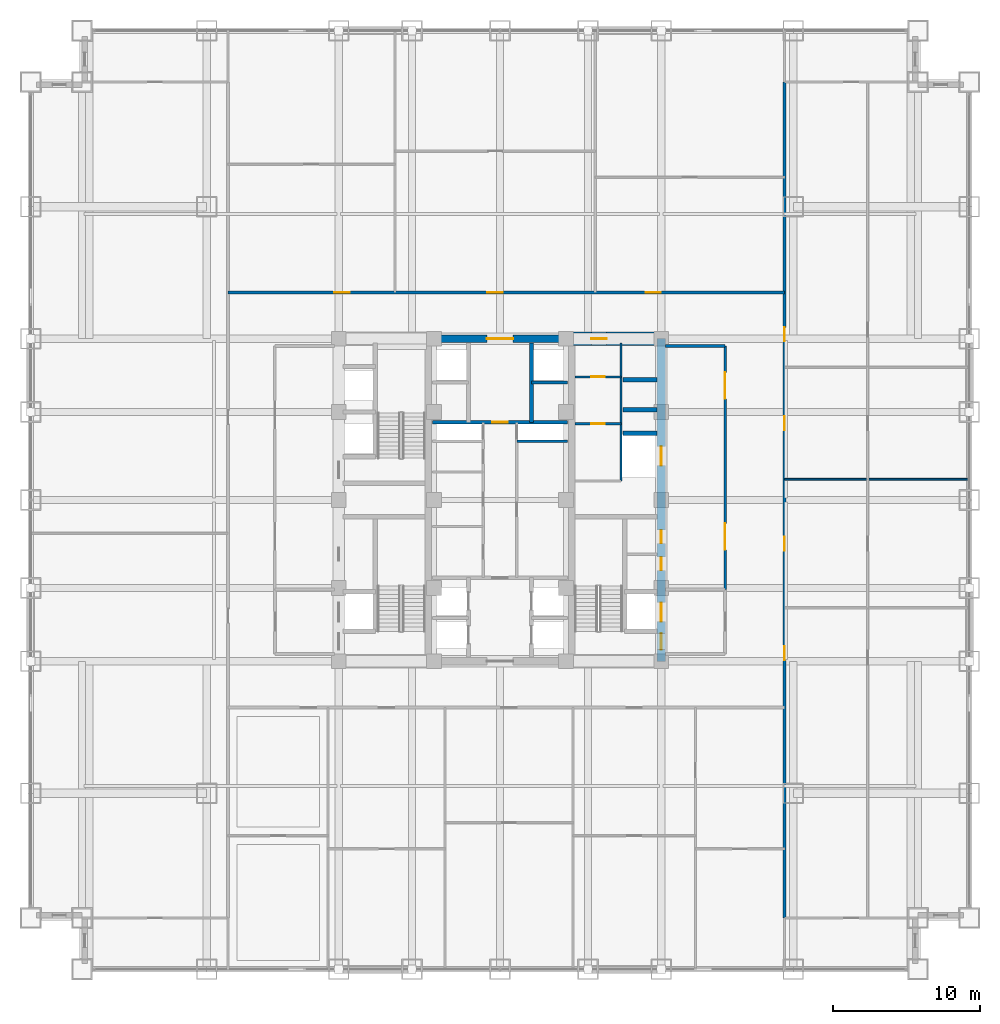
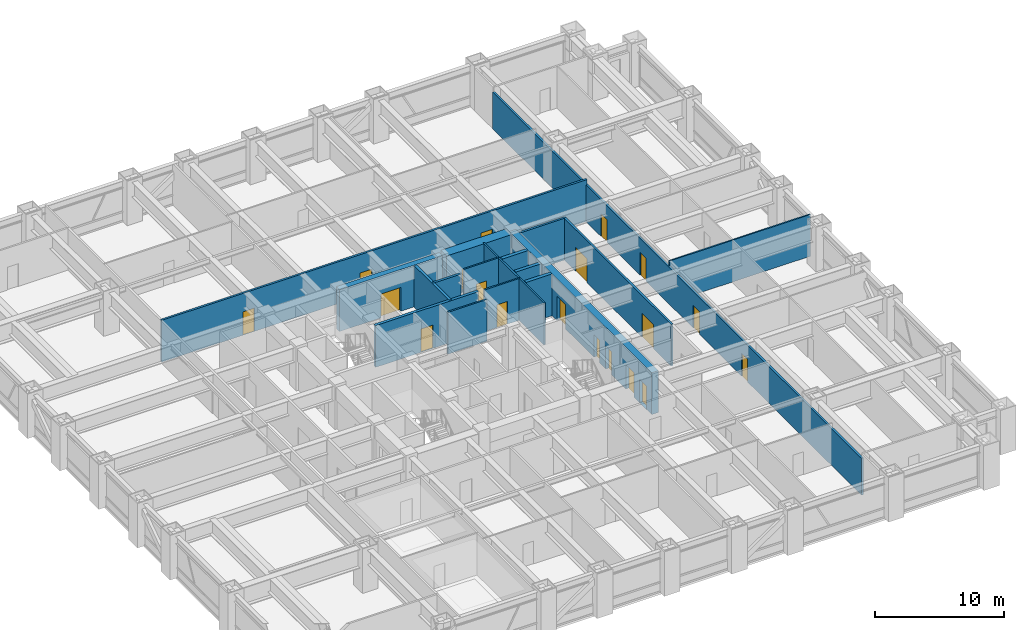
# One storey, part 26 of 29: 19 doors, 18 walls, 19 openings.
"""IFC4 building model written with IfcOpenShell, lengths in metres."""

from ifc_helpers import new_model, si_unit, direction, frame, frame_2d, origin, place, context, subcontext, project, spatial, rectangle, extrude, source, transform, mapped, material, layer, layer_set, type_object, element, fill, save


model = new_model("IFC4")

# Units and contexts
model_context = context("Model", 3, precision=1e-05, world=origin(), true_north=direction((0.0, 1.0)))
body_context = subcontext(model_context, "Body", "Model", "MODEL_VIEW")
ifc_project = project(units=[si_unit("LENGTHUNIT", "METRE"), si_unit("AREAUNIT", "SQUARE_METRE"), si_unit("VOLUMEUNIT", "CUBIC_METRE"), si_unit("PLANEANGLEUNIT", "RADIAN"), si_unit("MASSUNIT", "GRAM", prefix="KILO")], contexts=[model_context])

# Site, building, storey
site_placement = place(None, origin())
site = spatial("IfcSite", under=ifc_project, at=site_placement, CompositionType="ELEMENT")
building_placement = place(site_placement, origin())
building = spatial("IfcBuilding", under=site, at=building_placement, Name="Khorayat Bourse Tower", CompositionType="ELEMENT")
storey_placement = place(building_placement, frame((0.0, 0.0, 87.199951171875)))
storey = spatial("IfcBuildingStorey", under=building, at=storey_placement, Name="L19", CompositionType="ELEMENT", Elevation=87.199951171875)

# Wall, openings, doors
ifc_material_1 = material(Name="Concrete C60/75", Category="concrete")
ifc_layer_1 = layer(ifc_material_1, 0.60009765625)
ifc_layer_set_1 = layer_set([ifc_layer_1], Name="Concrete C60/75")
wall_type_1 = type_object("IfcWallType", Name="WAL-CORE-600", PredefinedType="SHEAR", material=ifc_layer_set_1)
shared_shape_1 = source(origin(), body_context, "Body", "SweptSolid", [
    extrude(rectangle(XDim=22.0, YDim=0.60009765625, at=frame_2d((11.0, 0.0))), origin(), (0.0, 0.0, 1.0), 3.93994140625),
])
wall_1_placement = place(storey_placement, frame((11.0, -11.0, 0.0), z_axis=(0.0, 0.0, 1.0), x_axis=(0.0, 1.0, 0.0)))
wall_1 = element("IfcWall", 1, at=wall_1_placement, inside=storey, type_object=wall_type_1, Name="L19 Core Shear Wall CORE-E", PredefinedType="SHEAR", context=body_context, shape_type="MappedRepresentation", body=[
    mapped(shared_shape_1, transform((0.0, 0.0, 0.0), scale=1.0)),
])
shared_shape_2 = source(origin(), body_context, "Body", "SweptSolid", [
    extrude(rectangle(XDim=1.10009765625, YDim=2.199951171875, at=frame_2d((0.550048828125, 1.10009765625))), frame((0.0, 0.31005859375, 0.0), z_axis=(0.0, -1.0, 0.0), x_axis=(1.0, 0.0, 0.0)), (0.0, 0.0, 1.0), 0.6201171875),
])
opening_1_placement = place(wall_1_placement, frame((0.800048828125, 0.0, 0.0)))
opening_1 = element("IfcOpeningElement", 2, at=opening_1_placement, cuts=wall_1, Name="Opening DI-01", PredefinedType="OPENING", context=body_context, shape_type="MappedRepresentation", body=[
    mapped(shared_shape_2, transform((0.0, 0.0, 0.0), scale=1.0)),
])
shared_shape_3 = source(origin(), body_context, "Body", "SweptSolid", [
    extrude(rectangle(XDim=0.89990234375, YDim=2.14990234375, at=frame_2d((0.449951171875, 1.074951171875))), frame((0.0, 0.31005859375, 0.0), z_axis=(0.0, -1.0, 0.0), x_axis=(1.0, 0.0, 0.0)), (0.0, 0.0, 1.0), 0.6201171875),
])
opening_2_placement = place(wall_1_placement, frame((6.199951171875, 0.0, 0.0)))
opening_2 = element("IfcOpeningElement", 3, at=opening_2_placement, cuts=wall_1, Name="Opening DI-06", PredefinedType="OPENING", context=body_context, shape_type="MappedRepresentation", body=[
    mapped(shared_shape_3, transform((0.0, 0.0, 0.0), scale=1.0)),
])
opening_3_placement = place(wall_1_placement, frame((8.050048828125, 0.0, 0.0)))
opening_3 = element("IfcOpeningElement", 4, at=opening_3_placement, cuts=wall_1, Name="Opening DI-06", PredefinedType="OPENING", context=body_context, shape_type="MappedRepresentation", body=[
    mapped(shared_shape_3, transform((0.0, 0.0, 0.0), scale=1.0)),
])
shared_shape_4 = source(origin(), body_context, "Body", "SweptSolid", [
    extrude(rectangle(XDim=1.300048828125, YDim=2.300048828125, at=frame_2d((0.64990234375, 1.14990234375))), frame((0.0, 0.31005859375, 0.0), z_axis=(0.0, -1.0, 0.0), x_axis=(1.0, 0.0, 0.0)), (0.0, 0.0, 1.0), 0.6201171875),
])
opening_4_placement = place(wall_1_placement, frame((2.699951171875, 0.0, 0.0)))
opening_4 = element("IfcOpeningElement", 5, at=opening_4_placement, cuts=wall_1, Name="Opening LD-02", PredefinedType="OPENING", context=body_context, shape_type="MappedRepresentation", body=[
    mapped(shared_shape_4, transform((0.0, 0.0, 0.0), scale=1.0)),
])
opening_5_placement = place(wall_1_placement, frame((13.35009765625, 0.0, 0.0)))
opening_5 = element("IfcOpeningElement", 6, at=opening_5_placement, cuts=wall_1, Name="Opening LD-02", PredefinedType="OPENING", context=body_context, shape_type="MappedRepresentation", body=[
    mapped(shared_shape_4, transform((0.0, 0.0, 0.0), scale=1.0)),
])
ifc_material_2 = material(Name="Fire-rated steel acoustic leaf", Category="steel")
door_type_1 = type_object("IfcDoorType", Name="DR-INT-STAIR-1100", OperationType="NOTDEFINED", PredefinedType="DOOR", material=ifc_material_2)
shared_shape_5 = source(origin(), body_context, "Body", "SweptSolid", [
    extrude(rectangle(XDim=1.10009765625, YDim=2.199951171875, at=frame_2d((0.550048828125, 1.10009765625))), frame((0.0, 0.02490234375, 0.0), z_axis=(0.0, -1.0, 0.0), x_axis=(1.0, 0.0, 0.0)), (0.0, 0.0, 1.0), 0.050048828125),
])
door_1_placement = place(opening_1_placement, origin())
door_1 = element("IfcDoor", 7, at=door_1_placement, inside=storey, type_object=door_type_1, Name="L19 Exit Stair 3 Door", OperationType="SINGLE_SWING_LEFT", OverallHeight=2.199951171875, OverallWidth=1.10009765625, PredefinedType="DOOR", context=body_context, shape_type="MappedRepresentation", body=[
    mapped(shared_shape_5, transform((0.0, 0.0, 0.0), scale=1.0)),
])
fill(opening_1, door_1)
ifc_material_3 = material(Name="Moisture-resistant laminate washroom door")
door_type_2 = type_object("IfcDoorType", Name="DR-INT-WC-900", OperationType="NOTDEFINED", PredefinedType="DOOR", material=ifc_material_3)
shared_shape_6 = source(origin(), body_context, "Body", "SweptSolid", [
    extrude(rectangle(XDim=0.89990234375, YDim=2.14990234375, at=frame_2d((0.449951171875, 1.074951171875))), frame((0.0, 0.02490234375, 0.0), z_axis=(0.0, -1.0, 0.0), x_axis=(1.0, 0.0, 0.0)), (0.0, 0.0, 1.0), 0.050048828125),
])
door_2_placement = place(opening_2_placement, origin())
door_2 = element("IfcDoor", 8, at=door_2_placement, inside=storey, type_object=door_type_2, Name="L19 Comms Closet Door", OperationType="SINGLE_SWING_LEFT", OverallHeight=2.14990234375, OverallWidth=0.89990234375, PredefinedType="DOOR", context=body_context, shape_type="MappedRepresentation", body=[
    mapped(shared_shape_6, transform((0.0, 0.0, 0.0), scale=1.0)),
])
fill(opening_2, door_2)
door_3_placement = place(opening_3_placement, origin())
door_3 = element("IfcDoor", 9, at=door_3_placement, inside=storey, type_object=door_type_2, Name="L19 Cleaner Store Door", OperationType="SINGLE_SWING_RIGHT", OverallHeight=2.14990234375, OverallWidth=0.89990234375, PredefinedType="DOOR", context=body_context, shape_type="MappedRepresentation", body=[
    mapped(shared_shape_6, transform((0.0, 0.0, 0.0), scale=1.0)),
])
fill(opening_3, door_3)
ifc_material_4 = material(Name="Fire-rated stainless-steel sliding landing door", Category="steel")
door_type_3 = type_object("IfcDoorType", Name="DR-LIFT-FF-1300", OperationType="NOTDEFINED", PredefinedType="DOOR", material=ifc_material_4)
shared_shape_7 = source(origin(), body_context, "Body", "SweptSolid", [
    extrude(rectangle(XDim=1.300048828125, YDim=2.300048828125, at=frame_2d((0.64990234375, 1.14990234375))), frame((0.0, 0.02490234375, 0.0), z_axis=(0.0, -1.0, 0.0), x_axis=(1.0, 0.0, 0.0)), (0.0, 0.0, 1.0), 0.050048828125),
])
door_4_placement = place(opening_4_placement, origin())
door_4 = element("IfcDoor", 10, at=door_4_placement, inside=storey, type_object=door_type_3, Name="L19 Lift FFL-02 Sliding Landing Door", OperationType="SLIDING_TO_LEFT", OverallHeight=2.300048828125, OverallWidth=1.300048828125, PredefinedType="DOOR", context=body_context, shape_type="MappedRepresentation", body=[
    mapped(shared_shape_7, transform((0.0, 0.0, 0.0), scale=1.0)),
])
fill(opening_4, door_4)
door_5_placement = place(opening_5_placement, origin())
door_5 = element("IfcDoor", 11, at=door_5_placement, inside=storey, type_object=door_type_3, Name="L19 Lift SVL-01 Sliding Landing Door", OperationType="SLIDING_TO_LEFT", OverallHeight=2.300048828125, OverallWidth=1.300048828125, PredefinedType="DOOR", context=body_context, shape_type="MappedRepresentation", body=[
    mapped(shared_shape_7, transform((0.0, 0.0, 0.0), scale=1.0)),
])
fill(opening_5, door_5)

# Wall, opening, door
ifc_material_5 = material(Name="Concrete C72/90", Category="concrete")
ifc_layer_2 = layer(ifc_material_5, 0.89990234375)
ifc_layer_set_2 = layer_set([ifc_layer_2], Name="Concrete C72/90")
wall_type_2 = type_object("IfcWallType", Name="WAL-CORE-900", PredefinedType="SHEAR", material=ifc_layer_set_2)
shared_shape_8 = source(origin(), body_context, "Body", "SweptSolid", [
    extrude(rectangle(XDim=5.849853515625, YDim=0.89990234375, at=frame_2d((2.9248046875, 0.0))), origin(), (0.0, 0.0, 1.0), 3.93994140625),
])
wall_2_placement = place(storey_placement, frame((4.85009765625, 11.0, 0.0), z_axis=(0.0, 0.0, 1.0), x_axis=(1.0, 0.0, 0.0)))
wall_2 = element("IfcWall", 12, at=wall_2_placement, inside=storey, type_object=wall_type_2, Name="L19 Core Shear Wall PIER-EN", PredefinedType="SHEAR", context=body_context, shape_type="MappedRepresentation", body=[
    mapped(shared_shape_8, transform((0.0, 0.0, 0.0), scale=1.0)),
])
shared_shape_9 = source(origin(), body_context, "Body", "SweptSolid", [
    extrude(rectangle(XDim=1.050048828125, YDim=2.199951171875, at=frame_2d((0.52490234375, 1.10009765625))), frame((0.0, 0.4599609375, 0.0), z_axis=(0.0, -1.0, 0.0), x_axis=(1.0, 0.0, 0.0)), (0.0, 0.0, 1.0), 0.919921875),
])
opening_6_placement = place(wall_2_placement, frame((1.375, 0.0, 0.0)))
opening_6 = element("IfcOpeningElement", 13, at=opening_6_placement, cuts=wall_2, Name="Opening DI-04", PredefinedType="OPENING", context=body_context, shape_type="MappedRepresentation", body=[
    mapped(shared_shape_9, transform((0.0, 0.0, 0.0), scale=1.0)),
])
ifc_material_6 = material(Name="Fire-rated oak veneer suite entrance door")
door_type_4 = type_object("IfcDoorType", Name="DR-INT-SUITE-1050", OperationType="NOTDEFINED", PredefinedType="DOOR", material=ifc_material_6)
shared_shape_10 = source(origin(), body_context, "Body", "SweptSolid", [
    extrude(rectangle(XDim=1.050048828125, YDim=2.199951171875, at=frame_2d((0.52490234375, 1.10009765625))), frame((0.0, 0.02490234375, 0.0), z_axis=(0.0, -1.0, 0.0), x_axis=(1.0, 0.0, 0.0)), (0.0, 0.0, 1.0), 0.050048828125),
])
door_6_placement = place(opening_6_placement, origin())
door_6 = element("IfcDoor", 14, at=door_6_placement, inside=storey, type_object=door_type_4, Name="L19 Core Washroom Lobby Door", OperationType="SINGLE_SWING_LEFT", OverallHeight=2.199951171875, OverallWidth=1.050048828125, PredefinedType="DOOR", context=body_context, shape_type="MappedRepresentation", body=[
    mapped(shared_shape_10, transform((0.0, 0.0, 0.0), scale=1.0)),
])
fill(opening_6, door_6)

ifc_material_7 = material(Name="Concrete C52/65", Category="concrete")
ifc_layer_3 = layer(ifc_material_7, 0.5)
ifc_layer_set_3 = layer_set([ifc_layer_3], Name="Concrete C52/65")
wall_type_3 = type_object("IfcWallType", Name="WAL-CORE-500", PredefinedType="SHEAR", material=ifc_layer_set_3)
shared_shape_11 = source(origin(), body_context, "Body", "SweptSolid", [
    extrude(rectangle(XDim=9.2001953125, YDim=0.5, at=frame_2d((4.60009765625, 0.0))), origin(), (0.0, 0.0, 1.0), 3.93994140625),
])
wall_3_placement = place(storey_placement, frame((-4.60009765625, 11.0, 0.0), z_axis=(0.0, 0.0, 1.0), x_axis=(1.0, 0.0, 0.0)))
wall_3 = element("IfcWall", 15, at=wall_3_placement, inside=storey, type_object=wall_type_3, Name="L19 Core Shear Wall CORE-N", PredefinedType="SHEAR", context=body_context, shape_type="MappedRepresentation", body=[
    mapped(shared_shape_11, transform((0.0, 0.0, 0.0), scale=1.0)),
])
shared_shape_12 = source(origin(), body_context, "Body", "SweptSolid", [
    extrude(rectangle(XDim=1.800048828125, YDim=2.25, at=frame_2d((0.89990234375, 1.125))), frame((0.0, 0.260009765625, 0.0), z_axis=(0.0, -1.0, 0.0), x_axis=(1.0, 0.0, 0.0)), (0.0, 0.0, 1.0), 0.52001953125),
])
opening_7_placement = place(wall_3_placement, frame((3.699951171875, 0.0, 0.0)))
opening_7 = element("IfcOpeningElement", 16, at=opening_7_placement, cuts=wall_3, Name="Opening DI-03", PredefinedType="OPENING", context=body_context, shape_type="MappedRepresentation", body=[
    mapped(shared_shape_12, transform((0.0, 0.0, 0.0), scale=1.0)),
])
ifc_material_8 = material(Name="Fire-rated hardwood vision-panel double leaf", Category="wood")
door_type_5 = type_object("IfcDoorType", Name="DR-INT-CORR-1800", OperationType="NOTDEFINED", PredefinedType="DOOR", material=ifc_material_8)
shared_shape_13 = source(origin(), body_context, "Body", "SweptSolid", [
    extrude(rectangle(XDim=1.800048828125, YDim=2.25, at=frame_2d((0.89990234375, 1.125))), frame((0.0, 0.02490234375, 0.0), z_axis=(0.0, -1.0, 0.0), x_axis=(1.0, 0.0, 0.0)), (0.0, 0.0, 1.0), 0.050048828125),
])
door_7_placement = place(opening_7_placement, origin())
door_7 = element("IfcDoor", 17, at=door_7_placement, inside=storey, type_object=door_type_5, Name="L19 Mid-Rise Lift Lobby Door", OperationType="SINGLE_SWING_RIGHT", OverallHeight=2.25, OverallWidth=1.800048828125, PredefinedType="DOOR", context=body_context, shape_type="MappedRepresentation", body=[
    mapped(shared_shape_13, transform((0.0, 0.0, 0.0), scale=1.0)),
])
fill(opening_7, door_7)

# Walls
ifc_material_9 = material(Name="Concrete C50/60", Category="concrete")
ifc_layer_4 = layer(ifc_material_9, 0.300048828125)
ifc_layer_set_4 = layer_set([ifc_layer_4], Name="Concrete C50/60")
wall_type_4 = type_object("IfcWallType", Name="WAL-SHAFT-300", PredefinedType="SHEAR", material=ifc_layer_set_4)
shared_shape_14 = source(origin(), body_context, "Body", "SweptSolid", [
    extrude(rectangle(XDim=2.300048828125, YDim=0.300048828125, at=frame_2d((1.14990234375, 0.0))), origin(), (0.0, 0.0, 1.0), 3.93994140625),
])
for number, where, z_axis, x_axis, name in (
    (18, (8.39990234375, 4.550048828125, 0.0), (0.0, 0.0, 1.0), (1.0, 0.0, 0.0), "L19 Partition WAL-L19-EPIER-SVLN"),
    (19, (8.39990234375, 6.14990234375, 0.0), (0.0, 0.0, 1.0), (1.0, 0.0, 0.0), "L19 Partition WAL-L19-EPIER-H3S"),
    (20, (8.39990234375, 8.199951171875, 0.0), (0.0, 0.0, 1.0), (1.0, 0.0, 0.0), "L19 Partition WAL-L19-EPIER-H34"),
):
    element("IfcWall", number, at=place(storey_placement, frame(where, z_axis=z_axis, x_axis=x_axis)), inside=storey, type_object=wall_type_4, Name=name, PredefinedType="SHEAR", context=body_context, shape_type="MappedRepresentation", body=[
        mapped(shared_shape_14, transform((0.0, 0.0, 0.0), scale=1.0)),
    ])
ifc_material_10 = material(Name="Moisture-resistant masonry partition", Category="masonry")
ifc_layer_5 = layer(ifc_material_10, 0.139892578125)
ifc_layer_set_5 = layer_set([ifc_layer_5], Name="Moisture-resistant masonry partition")
wall_type_5 = type_object("IfcWallType", Name="WAL-PART-WET-140", PredefinedType="PARTITIONING", material=ifc_layer_set_5)
shared_shape_15 = source(origin(), body_context, "Body", "SweptSolid", [
    extrude(rectangle(XDim=9.39990234375, YDim=0.139892578125, at=frame_2d((4.699951171875, 0.0))), origin(), (0.0, 0.0, 1.0), 3.93994140625),
])
wall_4_placement = place(storey_placement, frame((8.25, 1.300048828125, 0.0), z_axis=(0.0, 0.0, 1.0), x_axis=(0.0, 1.0, 0.0)))
element("IfcWall", 21, at=wall_4_placement, inside=storey, type_object=wall_type_5, Name="L19 Partition WAL-L19-ECORE-E", PredefinedType="PARTITIONING", context=body_context, shape_type="MappedRepresentation", body=[
    mapped(shared_shape_15, transform((0.0, 0.0, 0.0), scale=1.0)),
])

# Wall, opening, door
shared_shape_16 = source(origin(), body_context, "Body", "SweptSolid", [
    extrude(rectangle(XDim=3.14990234375, YDim=0.139892578125, at=frame_2d((1.574951171875, 0.0))), origin(), (0.0, 0.0, 1.0), 3.93994140625),
])
wall_5_placement = place(storey_placement, frame((5.10009765625, 8.39990234375, 0.0), z_axis=(0.0, 0.0, 1.0), x_axis=(1.0, 0.0, 0.0)))
wall_5 = element("IfcWall", 22, at=wall_5_placement, inside=storey, type_object=wall_type_5, Name="L19 Partition WAL-L19-ECW-TOP", PredefinedType="PARTITIONING", context=body_context, shape_type="MappedRepresentation", body=[
    mapped(shared_shape_16, transform((0.0, 0.0, 0.0), scale=1.0)),
])
shared_shape_17 = source(origin(), body_context, "Body", "SweptSolid", [
    extrude(rectangle(XDim=0.89990234375, YDim=2.14990234375, at=frame_2d((0.449951171875, 1.074951171875))), frame((0.0, 0.079833984375, 0.0), z_axis=(0.0, -1.0, 0.0), x_axis=(1.0, 0.0, 0.0)), (0.0, 0.0, 1.0), 0.159912109375),
])
opening_8_placement = place(wall_5_placement, frame((1.1298828125, 0.0, 0.0)))
opening_8 = element("IfcOpeningElement", 23, at=opening_8_placement, cuts=wall_5, Name="Opening DI-06", PredefinedType="OPENING", context=body_context, shape_type="MappedRepresentation", body=[
    mapped(shared_shape_17, transform((0.0, 0.0, 0.0), scale=1.0)),
])
door_8_placement = place(opening_8_placement, origin())
door_8 = element("IfcDoor", 24, at=door_8_placement, inside=storey, type_object=door_type_2, Name="L19 Accessible WC Door", OperationType="SINGLE_SWING_LEFT", OverallHeight=2.14990234375, OverallWidth=0.89990234375, PredefinedType="DOOR", context=body_context, shape_type="MappedRepresentation", body=[
    mapped(shared_shape_6, transform((0.0, 0.0, 0.0), scale=1.0)),
])
fill(opening_8, door_8)

wall_6_placement = place(storey_placement, frame((5.10009765625, 5.199951171875, 0.0), z_axis=(0.0, 0.0, 1.0), x_axis=(1.0, 0.0, 0.0)))
wall_6 = element("IfcWall", 25, at=wall_6_placement, inside=storey, type_object=wall_type_5, Name="L19 Partition WAL-L19-ECW-HZ", PredefinedType="PARTITIONING", context=body_context, shape_type="MappedRepresentation", body=[
    mapped(shared_shape_16, transform((0.0, 0.0, 0.0), scale=1.0)),
])
opening_9_placement = place(wall_6_placement, frame((1.1298828125, 0.0, 0.0)))
opening_9 = element("IfcOpeningElement", 26, at=opening_9_placement, cuts=wall_6, Name="Opening DI-06", PredefinedType="OPENING", context=body_context, shape_type="MappedRepresentation", body=[
    mapped(shared_shape_17, transform((0.0, 0.0, 0.0), scale=1.0)),
])
door_9_placement = place(opening_9_placement, origin())
door_9 = element("IfcDoor", 27, at=door_9_placement, inside=storey, type_object=door_type_2, Name="L19 Shared Washroom Door", OperationType="SINGLE_SWING_RIGHT", OverallHeight=2.14990234375, OverallWidth=0.89990234375, PredefinedType="DOOR", context=body_context, shape_type="MappedRepresentation", body=[
    mapped(shared_shape_6, transform((0.0, 0.0, 0.0), scale=1.0)),
])
fill(opening_9, door_9)

# Wall
ifc_material_11 = material(Name="Gypsum plasterboard acoustic stud wall")
ifc_layer_6 = layer(ifc_material_11, 0.179931640625)
ifc_layer_set_6 = layer_set([ifc_layer_6], Name="Gypsum plasterboard acoustic stud wall")
wall_type_6 = type_object("IfcWallType", Name="WAL-PART-CORR-180", PredefinedType="PARTITIONING", material=ifc_layer_set_6)
shared_shape_18 = source(origin(), body_context, "Body", "SweptSolid", [
    extrude(rectangle(XDim=4.050048828125, YDim=0.179931640625, at=frame_2d((2.02490234375, 0.0))), origin(), (0.0, 0.0, 1.0), 3.93994140625),
])
wall_7_placement = place(storey_placement, frame((11.300048828125, 10.5, 0.0), z_axis=(0.0, 0.0, 1.0), x_axis=(1.0, 0.0, 0.0)))
element("IfcWall", 28, at=wall_7_placement, inside=storey, type_object=wall_type_6, Name="L19 Partition WAL-L19-ELOB-N", PredefinedType="PARTITIONING", context=body_context, shape_type="MappedRepresentation", body=[
    mapped(shared_shape_18, transform((0.0, 0.0, 0.0), scale=1.0)),
])

# Wall, openings, doors
shared_shape_19 = source(origin(), body_context, "Body", "SweptSolid", [
    extrude(rectangle(XDim=16.60009765625, YDim=0.179931640625, at=frame_2d((8.300048828125, 0.0))), origin(), (0.0, 0.0, 1.0), 3.93994140625),
])
wall_8_placement = place(storey_placement, frame((15.35009765625, -6.10009765625, 0.0), z_axis=(0.0, 0.0, 1.0), x_axis=(0.0, 1.0, 0.0)))
wall_8 = element("IfcWall", 29, at=wall_8_placement, inside=storey, type_object=wall_type_6, Name="L19 Partition WAL-L19-ELOB-E", PredefinedType="PARTITIONING", context=body_context, shape_type="MappedRepresentation", body=[
    mapped(shared_shape_19, transform((0.0, 0.0, 0.0), scale=1.0)),
])
shared_shape_20 = source(origin(), body_context, "Body", "SweptSolid", [
    extrude(rectangle(XDim=1.800048828125, YDim=2.25, at=frame_2d((0.89990234375, 1.125))), frame((0.0, 0.099853515625, 0.0), z_axis=(0.0, -1.0, 0.0), x_axis=(1.0, 0.0, 0.0)), (0.0, 0.0, 1.0), 0.199951171875),
])
opening_10_placement = place(wall_8_placement, frame((2.699951171875, 0.0, 0.0)))
opening_10 = element("IfcOpeningElement", 30, at=opening_10_placement, cuts=wall_8, Name="Opening DI-03", PredefinedType="OPENING", context=body_context, shape_type="MappedRepresentation", body=[
    mapped(shared_shape_20, transform((0.0, 0.0, 0.0), scale=1.0)),
])
opening_11_placement = place(wall_8_placement, frame((13.0, 0.0, 0.0)))
opening_11 = element("IfcOpeningElement", 31, at=opening_11_placement, cuts=wall_8, Name="Opening DI-03", PredefinedType="OPENING", context=body_context, shape_type="MappedRepresentation", body=[
    mapped(shared_shape_20, transform((0.0, 0.0, 0.0), scale=1.0)),
])
door_10_placement = place(opening_10_placement, origin())
door_10 = element("IfcDoor", 32, at=door_10_placement, inside=storey, type_object=door_type_5, Name="L19 East Core Lobby South Door", OperationType="SINGLE_SWING_RIGHT", OverallHeight=2.25, OverallWidth=1.800048828125, PredefinedType="DOOR", context=body_context, shape_type="MappedRepresentation", body=[
    mapped(shared_shape_13, transform((0.0, 0.0, 0.0), scale=1.0)),
])
fill(opening_10, door_10)
door_11_placement = place(opening_11_placement, origin())
door_11 = element("IfcDoor", 33, at=door_11_placement, inside=storey, type_object=door_type_5, Name="L19 East Core Lobby North Door", OperationType="SINGLE_SWING_LEFT", OverallHeight=2.25, OverallWidth=1.800048828125, PredefinedType="DOOR", context=body_context, shape_type="MappedRepresentation", body=[
    mapped(shared_shape_13, transform((0.0, 0.0, 0.0), scale=1.0)),
])
fill(opening_11, door_11)

# Walls
ifc_material_12 = material(Name="Gypsum plasterboard twin-frame partition")
ifc_layer_7 = layer(ifc_material_12, 0.14990234375)
ifc_layer_set_7 = layer_set([ifc_layer_7], Name="Gypsum plasterboard twin-frame partition")
wall_type_7 = type_object("IfcWallType", Name="WAL-PART-SUITE-150", PredefinedType="PARTITIONING", material=ifc_layer_set_7)
shared_shape_21 = source(origin(), body_context, "Body", "SweptSolid", [
    extrude(rectangle(XDim=3.4501953125, YDim=0.14990234375, at=frame_2d((1.72509765625, 0.0))), origin(), (0.0, 0.0, 1.0), 3.93994140625),
])
wall_9_placement = place(storey_placement, frame((1.14990234375, 4.0, 0.0), z_axis=(0.0, 0.0, 1.0), x_axis=(1.0, 0.0, 0.0)))
element("IfcWall", 34, at=wall_9_placement, inside=storey, type_object=wall_type_7, Name="L19 Partition WAL-L19-CRSE-S", PredefinedType="PARTITIONING", context=body_context, shape_type="MappedRepresentation", body=[
    mapped(shared_shape_21, transform((0.0, 0.0, 0.0), scale=1.0)),
])
shared_shape_22 = source(origin(), body_context, "Body", "SweptSolid", [
    extrude(rectangle(XDim=5.39990234375, YDim=0.25, at=frame_2d((2.699951171875, 0.0))), origin(), (0.0, 0.0, 1.0), 3.93994140625),
])
wall_10_placement = place(storey_placement, frame((2.14990234375, 5.300048828125, 0.0), z_axis=(0.0, 0.0, 1.0), x_axis=(0.0, 1.0, 0.0)))
element("IfcWall", 35, at=wall_10_placement, inside=storey, type_object=wall_type_4, Name="L19 Partition WAL-L19-B2-E", PredefinedType="SHEAR", context=body_context, shape_type="MappedRepresentation", body=[
    mapped(shared_shape_22, transform((0.0, 0.0, 0.0), scale=1.0)),
])
shared_shape_23 = source(origin(), body_context, "Body", "SweptSolid", [
    extrude(rectangle(XDim=2.4501953125, YDim=0.199951171875, at=frame_2d((1.22509765625, 0.0))), origin(), (0.0, 0.0, 1.0), 3.93994140625),
])
wall_11_placement = place(storey_placement, frame((2.14990234375, 8.0, 0.0), z_axis=(0.0, 0.0, 1.0), x_axis=(1.0, 0.0, 0.0)))
element("IfcWall", 36, at=wall_11_placement, inside=storey, type_object=wall_type_4, Name="L19 Partition WAL-L19-B2-ME", PredefinedType="SHEAR", context=body_context, shape_type="MappedRepresentation", body=[
    mapped(shared_shape_23, transform((0.0, 0.0, 0.0), scale=1.0)),
])

# Wall, opening, door
shared_shape_24 = source(origin(), body_context, "Body", "SweptSolid", [
    extrude(rectangle(XDim=9.2001953125, YDim=0.25, at=frame_2d((4.60009765625, 0.0))), origin(), (0.0, 0.0, 1.0), 3.93994140625),
])
wall_12_placement = place(storey_placement, frame((-4.60009765625, 5.300048828125, 0.0), z_axis=(0.0, 0.0, 1.0), x_axis=(1.0, 0.0, 0.0)))
wall_12 = element("IfcWall", 37, at=wall_12_placement, inside=storey, type_object=wall_type_4, Name="L19 Partition WAL-L19-B2-S", PredefinedType="SHEAR", context=body_context, shape_type="MappedRepresentation", body=[
    mapped(shared_shape_24, transform((0.0, 0.0, 0.0), scale=1.0)),
])
shared_shape_25 = source(origin(), body_context, "Body", "SweptSolid", [
    extrude(rectangle(XDim=1.050048828125, YDim=2.199951171875, at=frame_2d((0.52490234375, 1.10009765625))), frame((0.0, 0.135009765625, 0.0), z_axis=(0.0, -1.0, 0.0), x_axis=(1.0, 0.0, 0.0)), (0.0, 0.0, 1.0), 0.27001953125),
])
opening_12_placement = place(wall_12_placement, frame((4.074951171875, 0.0, 0.0)))
opening_12 = element("IfcOpeningElement", 38, at=opening_12_placement, cuts=wall_12, Name="Opening DI-04", PredefinedType="OPENING", context=body_context, shape_type="MappedRepresentation", body=[
    mapped(shared_shape_25, transform((0.0, 0.0, 0.0), scale=1.0)),
])
door_12_placement = place(opening_12_placement, origin())
door_12 = element("IfcDoor", 39, at=door_12_placement, inside=storey, type_object=door_type_4, Name="L19 Core Spine North Door", OperationType="SINGLE_SWING_RIGHT", OverallHeight=2.199951171875, OverallWidth=1.050048828125, PredefinedType="DOOR", context=body_context, shape_type="MappedRepresentation", body=[
    mapped(shared_shape_10, transform((0.0, 0.0, 0.0), scale=1.0)),
])
fill(opening_12, door_12)

# Wall, openings, doors
shared_shape_26 = source(origin(), body_context, "Body", "SweptSolid", [
    extrude(rectangle(XDim=37.949951171875, YDim=0.179931640625, at=frame_2d((18.97509765625, 0.0))), origin(), (0.0, 0.0, 1.0), 3.93994140625),
])
wall_13_placement = place(storey_placement, frame((-18.550048828125, 14.14990234375, 0.0), z_axis=(0.0, 0.0, 1.0), x_axis=(1.0, 0.0, 0.0)))
wall_13 = element("IfcWall", 40, at=wall_13_placement, inside=storey, type_object=wall_type_6, Name="L19 Partition WAL-L19-NCORR", PredefinedType="PARTITIONING", context=body_context, shape_type="MappedRepresentation", body=[
    mapped(shared_shape_26, transform((0.0, 0.0, 0.0), scale=1.0)),
])
shared_shape_27 = source(origin(), body_context, "Body", "SweptSolid", [
    extrude(rectangle(XDim=1.050048828125, YDim=2.199951171875, at=frame_2d((0.52490234375, 1.10009765625))), frame((0.0, 0.099853515625, 0.0), z_axis=(0.0, -1.0, 0.0), x_axis=(1.0, 0.0, 0.0)), (0.0, 0.0, 1.0), 0.199951171875),
])
opening_13_placement = place(wall_13_placement, frame((7.242431640625, 0.0, 0.0)))
opening_13 = element("IfcOpeningElement", 41, at=opening_13_placement, cuts=wall_13, Name="Opening DI-04", PredefinedType="OPENING", context=body_context, shape_type="MappedRepresentation", body=[
    mapped(shared_shape_27, transform((0.0, 0.0, 0.0), scale=1.0)),
])
opening_14_placement = place(wall_13_placement, frame((17.69091796875, 0.0, 0.0)))
opening_14 = element("IfcOpeningElement", 42, at=opening_14_placement, cuts=wall_13, Name="Opening DI-04", PredefinedType="OPENING", context=body_context, shape_type="MappedRepresentation", body=[
    mapped(shared_shape_27, transform((0.0, 0.0, 0.0), scale=1.0)),
])
opening_15_placement = place(wall_13_placement, frame((28.473388671875, 0.0, 0.0)))
opening_15 = element("IfcOpeningElement", 43, at=opening_15_placement, cuts=wall_13, Name="Opening DI-04", PredefinedType="OPENING", context=body_context, shape_type="MappedRepresentation", body=[
    mapped(shared_shape_27, transform((0.0, 0.0, 0.0), scale=1.0)),
])
door_13_placement = place(opening_13_placement, origin())
door_13 = element("IfcDoor", 44, at=door_13_placement, inside=storey, type_object=door_type_4, Name="L19 Quantitative Research Study N1 Door", OperationType="SINGLE_SWING_RIGHT", OverallHeight=2.199951171875, OverallWidth=1.050048828125, PredefinedType="DOOR", context=body_context, shape_type="MappedRepresentation", body=[
    mapped(shared_shape_10, transform((0.0, 0.0, 0.0), scale=1.0)),
])
fill(opening_13, door_13)
door_14_placement = place(opening_14_placement, origin())
door_14 = element("IfcDoor", 45, at=door_14_placement, inside=storey, type_object=door_type_4, Name="L19 Executive Boardroom N2 Door", OperationType="SINGLE_SWING_LEFT", OverallHeight=2.199951171875, OverallWidth=1.050048828125, PredefinedType="DOOR", context=body_context, shape_type="MappedRepresentation", body=[
    mapped(shared_shape_10, transform((0.0, 0.0, 0.0), scale=1.0)),
])
fill(opening_14, door_14)
door_15_placement = place(opening_15_placement, origin())
door_15 = element("IfcDoor", 46, at=door_15_placement, inside=storey, type_object=door_type_4, Name="L19 Members Dining Room N3 Door", OperationType="SINGLE_SWING_RIGHT", OverallHeight=2.199951171875, OverallWidth=1.050048828125, PredefinedType="DOOR", context=body_context, shape_type="MappedRepresentation", body=[
    mapped(shared_shape_10, transform((0.0, 0.0, 0.0), scale=1.0)),
])
fill(opening_15, door_15)

shared_shape_28 = source(origin(), body_context, "Body", "SweptSolid", [
    extrude(rectangle(XDim=57.0, YDim=0.179931640625, at=frame_2d((28.5, 0.0))), origin(), (0.0, 0.0, 1.0), 3.470947265625),
])
wall_14_placement = place(storey_placement, frame((19.39990234375, -28.5, 0.0), z_axis=(0.0, 0.0, 1.0), x_axis=(0.0, 1.0, 0.0)))
wall_14 = element("IfcWall", 47, at=wall_14_placement, inside=storey, type_object=wall_type_6, Name="L19 Partition WAL-L19-ECORR", PredefinedType="PARTITIONING", context=body_context, shape_type="MappedRepresentation", body=[
    mapped(shared_shape_28, transform((0.0, 0.0, 0.0), scale=1.0)),
])
shared_shape_29 = source(origin(), body_context, "Body", "SweptSolid", [
    extrude(rectangle(XDim=0.949951171875, YDim=2.14990234375, at=frame_2d((0.47509765625, 1.074951171875))), frame((0.0, 0.099853515625, 0.0), z_axis=(0.0, -1.0, 0.0), x_axis=(1.0, 0.0, 0.0)), (0.0, 0.0, 1.0), 0.199951171875),
])
opening_16_placement = place(wall_14_placement, frame((17.571044921875, 0.0, 0.0)))
opening_16 = element("IfcOpeningElement", 48, at=opening_16_placement, cuts=wall_14, Name="Opening DI-05", PredefinedType="OPENING", context=body_context, shape_type="MappedRepresentation", body=[
    mapped(shared_shape_29, transform((0.0, 0.0, 0.0), scale=1.0)),
])
opening_17_placement = place(wall_14_placement, frame((25.053466796875, 0.0, 0.0)))
opening_17 = element("IfcOpeningElement", 49, at=opening_17_placement, cuts=wall_14, Name="Opening DI-05", PredefinedType="OPENING", context=body_context, shape_type="MappedRepresentation", body=[
    mapped(shared_shape_29, transform((0.0, 0.0, 0.0), scale=1.0)),
])
opening_18_placement = place(wall_14_placement, frame((33.260498046875, 0.0, 0.0)))
opening_18 = element("IfcOpeningElement", 50, at=opening_18_placement, cuts=wall_14, Name="Opening DI-05", PredefinedType="OPENING", context=body_context, shape_type="MappedRepresentation", body=[
    mapped(shared_shape_29, transform((0.0, 0.0, 0.0), scale=1.0)),
])
opening_19_placement = place(wall_14_placement, frame((39.327880859375, 0.0, 0.0)))
opening_19 = element("IfcOpeningElement", 51, at=opening_19_placement, cuts=wall_14, Name="Opening DI-05", PredefinedType="OPENING", context=body_context, shape_type="MappedRepresentation", body=[
    mapped(shared_shape_29, transform((0.0, 0.0, 0.0), scale=1.0)),
])
ifc_material_13 = material(Name="Acoustic oak veneer office door")
door_type_6 = type_object("IfcDoorType", Name="DR-INT-OFFICE-950", OperationType="NOTDEFINED", PredefinedType="DOOR", material=ifc_material_13)
shared_shape_30 = source(origin(), body_context, "Body", "SweptSolid", [
    extrude(rectangle(XDim=0.949951171875, YDim=2.14990234375, at=frame_2d((0.47509765625, 1.074951171875))), frame((0.0, 0.02490234375, 0.0), z_axis=(0.0, -1.0, 0.0), x_axis=(1.0, 0.0, 0.0)), (0.0, 0.0, 1.0), 0.050048828125),
])
door_16_placement = place(opening_16_placement, origin())
door_16 = element("IfcDoor", 52, at=door_16_placement, inside=storey, type_object=door_type_6, Name="L19 Brokerage Member Kiosk E1 Door", OperationType="SINGLE_SWING_RIGHT", OverallHeight=2.14990234375, OverallWidth=0.949951171875, PredefinedType="DOOR", context=body_context, shape_type="MappedRepresentation", body=[
    mapped(shared_shape_30, transform((0.0, 0.0, 0.0), scale=1.0)),
])
fill(opening_16, door_16)
door_17_placement = place(opening_17_placement, origin())
door_17 = element("IfcDoor", 53, at=door_17_placement, inside=storey, type_object=door_type_6, Name="L19 Staff Tea Pantry E2 Door", OperationType="SINGLE_SWING_LEFT", OverallHeight=2.14990234375, OverallWidth=0.949951171875, PredefinedType="DOOR", context=body_context, shape_type="MappedRepresentation", body=[
    mapped(shared_shape_30, transform((0.0, 0.0, 0.0), scale=1.0)),
])
fill(opening_17, door_17)
door_18_placement = place(opening_18_placement, origin())
door_18 = element("IfcDoor", 54, at=door_18_placement, inside=storey, type_object=door_type_6, Name="L19 Market Committee Conference Room E3 Door", OperationType="SINGLE_SWING_RIGHT", OverallHeight=2.14990234375, OverallWidth=0.949951171875, PredefinedType="DOOR", context=body_context, shape_type="MappedRepresentation", body=[
    mapped(shared_shape_30, transform((0.0, 0.0, 0.0), scale=1.0)),
])
fill(opening_18, door_18)
door_19_placement = place(opening_19_placement, origin())
door_19 = element("IfcDoor", 55, at=door_19_placement, inside=storey, type_object=door_type_6, Name="L19 Clearing Records Archive Store E4 Door", OperationType="SINGLE_SWING_LEFT", OverallHeight=2.14990234375, OverallWidth=0.949951171875, PredefinedType="DOOR", context=body_context, shape_type="MappedRepresentation", body=[
    mapped(shared_shape_30, transform((0.0, 0.0, 0.0), scale=1.0)),
])
fill(opening_19, door_19)

# Wall
ifc_material_14 = material(Name="Gypsum plasterboard partition")
ifc_layer_8 = layer(ifc_material_14, 0.125)
ifc_layer_set_8 = layer_set([ifc_layer_8], Name="Gypsum plasterboard partition")
wall_type_8 = type_object("IfcWallType", Name="WAL-PART-ROOM-125", PredefinedType="PARTITIONING", material=ifc_layer_set_8)
shared_shape_31 = source(origin(), body_context, "Body", "SweptSolid", [
    extrude(rectangle(XDim=12.60009765625, YDim=0.125, at=frame_2d((6.300048828125, 0.0))), origin(), (0.0, 0.0, 1.0), 3.93994140625),
])
wall_15_placement = place(storey_placement, frame((19.39990234375, 1.4150390625, 0.0), z_axis=(0.0, 0.0, 1.0), x_axis=(1.0, 0.0, 0.0)))
element("IfcWall", 56, at=wall_15_placement, inside=storey, type_object=wall_type_8, Name="L19 Partition WAL-L19-EDV-2", PredefinedType="PARTITIONING", context=body_context, shape_type="MappedRepresentation", body=[
    mapped(shared_shape_31, transform((0.0, 0.0, 0.0), scale=1.0)),
])

save(model, "model.ifc")
